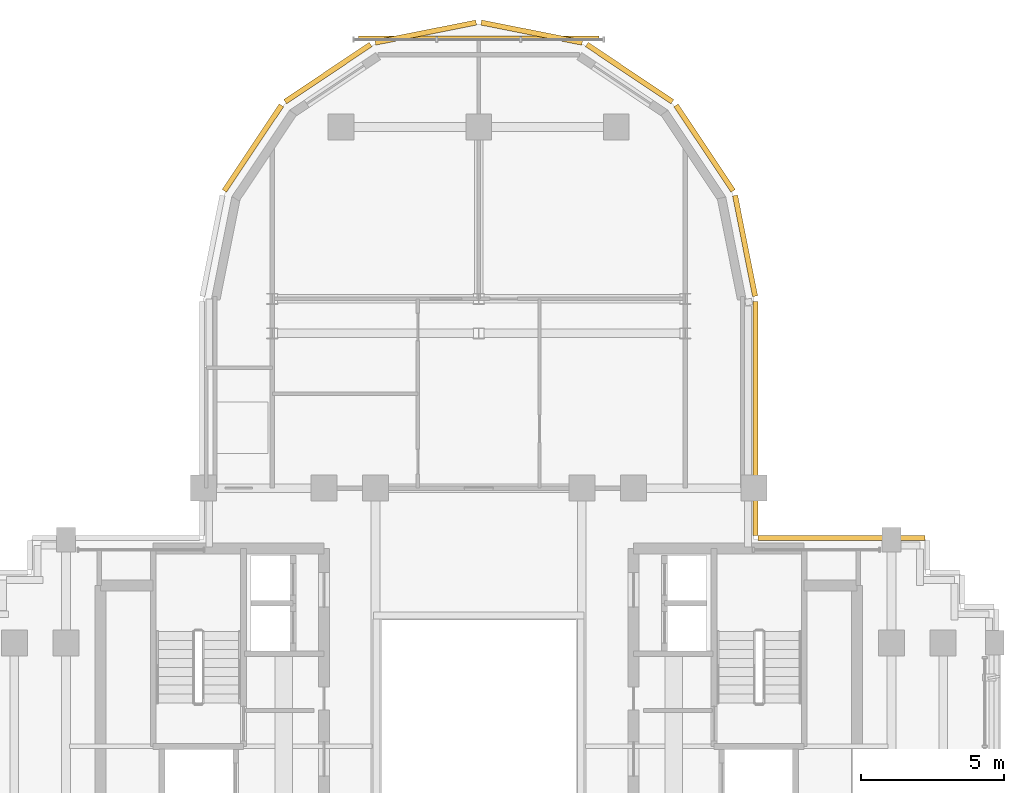
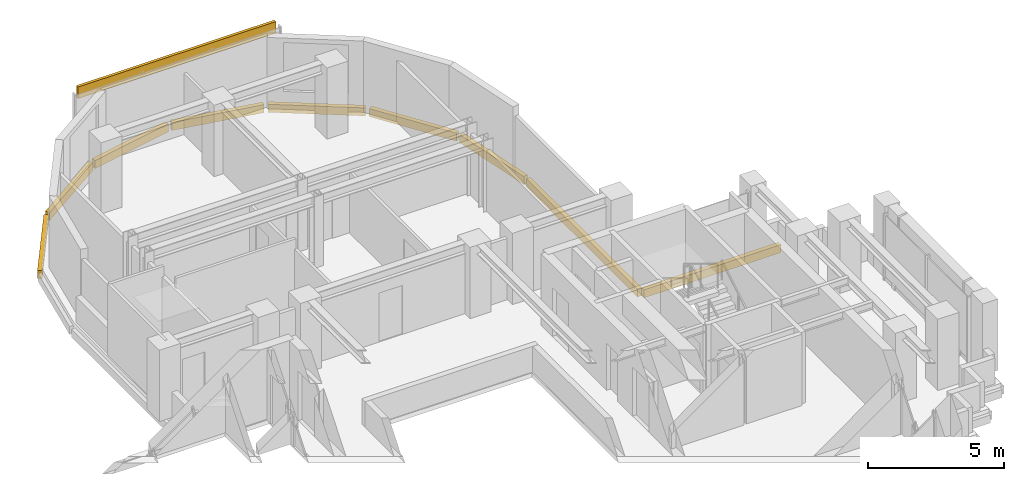
# One storey, part 11 of 11: 10 coverings.
"""IFC4 building model written with IfcOpenShell, lengths in metres."""

from ifc_helpers import new_model, si_unit, direction, frame, origin, origin_2d, place, context, subcontext, project, spatial, rectangle, extrude, source, transform, mapped, material, layer, layer_set, type_object, element, save


model = new_model("IFC4")

# Units and contexts
model_context = context("Model", 3, precision=1e-05, world=origin(), true_north=direction((0.0, 1.0)))
body_context = subcontext(model_context, "Body", "Model", "MODEL_VIEW")
ifc_project = project(units=[si_unit("LENGTHUNIT", "METRE"), si_unit("AREAUNIT", "SQUARE_METRE"), si_unit("VOLUMEUNIT", "CUBIC_METRE"), si_unit("PLANEANGLEUNIT", "RADIAN"), si_unit("MASSUNIT", "GRAM", prefix="KILO")], contexts=[model_context])

# Site, building, storey
site_placement = place(None, origin())
site = spatial("IfcSite", under=ifc_project, at=site_placement, CompositionType="ELEMENT")
building_placement = place(site_placement, origin())
building = spatial("IfcBuilding", under=site, at=building_placement, Name="Keilestroom Media Tower", CompositionType="ELEMENT")
storey_placement = place(building_placement, frame((0.0, 0.0, 204.60009765625)))
storey = spatial("IfcBuildingStorey", under=building, at=storey_placement, Name="L56", CompositionType="ELEMENT", Elevation=204.60009765625)

# Coverings
ifc_material = material(Name="Precast concrete C40/50", Category="concrete")
ifc_layer = layer(ifc_material, 0.1201171875)
ifc_layer_set = layer_set([ifc_layer], Name="Precast concrete C40/50")
covering_type = type_object("IfcCoveringType", Name="Exterior-Precast-Spandrel-Cladding-Panel-120", PredefinedType="CLADDING", material=ifc_layer_set)
shared_shape_1 = source(origin(), body_context, "Body", "SweptSolid", [
    extrude(rectangle(XDim=8.39990234375, YDim=0.1201171875, at=origin_2d()), origin(), (0.0, 0.0, 1.0), 0.52001953125),
])
covering_1_placement = place(storey_placement, frame((0.0, 24.719970703125, 2.68994140625), z_axis=(0.0, 0.0, 1.0), x_axis=(1.0, 0.0, 0.0)))
element("IfcCovering", 1, at=covering_1_placement, inside=storey, type_object=covering_type, Name="L56 Precast Spandrel Cladding N", PredefinedType="CLADDING", context=body_context, shape_type="MappedRepresentation", body=[
    mapped(shared_shape_1, transform((0.0, 0.0, 0.0), x_axis=(1.0, 0.0, 0.0), y_axis=(0.0, 1.0, 0.0), z_axis=(0.0, 0.0, 1.0), scale=1.0)),
])
shared_shape_2 = source(origin(), body_context, "Body", "SweptSolid", [
    extrude(rectangle(XDim=8.166015625, YDim=0.179931640625, at=origin_2d()), origin(), (0.0, 0.0, 1.0), 0.360107421875),
])
covering_2_placement = place(storey_placement, frame((9.659912109375, 11.43310546875, -0.5400390625), z_axis=(0.0, 0.0, 1.0), x_axis=(0.0, -1.0, 0.0)))
element("IfcCovering", 2, at=covering_2_placement, inside=storey, type_object=covering_type, Name="L56 Precast Slab-Edge Fascia Cornice 36", PredefinedType="CLADDING", context=body_context, shape_type="MappedRepresentation", body=[
    mapped(shared_shape_2, transform((0.0, 0.0, 0.0), x_axis=(1.0, 0.0, 0.0), y_axis=(0.0, 1.0, 0.0), z_axis=(0.0, 0.0, 1.0), scale=1.0)),
])
shared_shape_3 = source(origin(), body_context, "Body", "SweptSolid", [
    extrude(rectangle(XDim=3.58349609375, YDim=0.179931640625, at=origin_2d()), origin(), (0.0, 0.0, 1.0), 0.360107421875),
])
covering_3_placement = place(storey_placement, frame((9.29296875, 17.45166015625, -0.5400390625), z_axis=(0.0, 0.0, 1.0), x_axis=(0.195098880975, -0.980783577882, 0.0)))
element("IfcCovering", 3, at=covering_3_placement, inside=storey, type_object=covering_type, Name="L56 Precast Slab-Edge Fascia Cornice 35", PredefinedType="CLADDING", context=body_context, shape_type="MappedRepresentation", body=[
    mapped(shared_shape_3, transform((0.0, 0.0, 0.0), x_axis=(1.0, 0.0, 0.0), y_axis=(0.0, 1.0, 0.0), z_axis=(0.0, 0.0, 1.0), scale=1.0)),
])
shared_shape_4 = source(origin(), body_context, "Body", "SweptSolid", [
    extrude(rectangle(XDim=3.589599609375, YDim=0.179931640625, at=origin_2d()), origin(), (0.0, 0.0, 1.0), 0.360107421875),
])
for number, where, z_axis, x_axis, name in (
    (4, (-7.878662109375, 20.8642578125, -0.5400390625), (0.0, 0.0, 1.0), (0.555574586577, 0.831466703332, 0.0), "L56 Precast Slab-Edge Fascia Cornice 29"),
    (5, (-5.264404296875, 23.478515625, -0.5400390625), (0.0, 0.0, 1.0), (0.831466703332, 0.555574586577, 0.0), "L56 Precast Slab-Edge Fascia Cornice 30"),
    (6, (-1.8486328125, 24.893310546875, -0.5400390625), (0.0, 0.0, 1.0), (0.980783577882, 0.195098880975, 0.0), "L56 Precast Slab-Edge Fascia Cornice 31"),
    (7, (1.8486328125, 24.893310546875, -0.5400390625), (0.0, 0.0, 1.0), (0.980783577882, -0.195098880975, 0.0), "L56 Precast Slab-Edge Fascia Cornice 32"),
    (8, (5.264404296875, 23.478515625, -0.5400390625), (0.0, 0.0, 1.0), (0.831466703332, -0.555574586577, 0.0), "L56 Precast Slab-Edge Fascia Cornice 33"),
    (9, (7.878662109375, 20.8642578125, -0.5400390625), (0.0, 0.0, 1.0), (0.555574586577, -0.831466703332, 0.0), "L56 Precast Slab-Edge Fascia Cornice 34"),
):
    element("IfcCovering", number, at=place(storey_placement, frame(where, z_axis=z_axis, x_axis=x_axis)), inside=storey, type_object=covering_type, Name=name, PredefinedType="CLADDING", context=body_context, shape_type="MappedRepresentation", body=[
        mapped(shared_shape_4, transform((0.0, 0.0, 0.0), x_axis=(1.0, 0.0, 0.0), y_axis=(0.0, 1.0, 0.0), z_axis=(0.0, 0.0, 1.0), scale=1.0)),
    ])
shared_shape_5 = source(origin(), body_context, "Body", "SweptSolid", [
    extrude(rectangle(XDim=5.820068359375, YDim=0.179931640625, at=origin_2d()), origin(), (0.0, 0.0, 1.0), 0.360107421875),
])
covering_4_placement = place(storey_placement, frame((12.659912109375, 7.260009765625, -0.5400390625), z_axis=(0.0, 0.0, 1.0), x_axis=(1.0, 0.0, 0.0)))
element("IfcCovering", 10, at=covering_4_placement, inside=storey, type_object=covering_type, Name="L56 Precast Slab-Edge Fascia Cornice 37", PredefinedType="CLADDING", context=body_context, shape_type="MappedRepresentation", body=[
    mapped(shared_shape_5, transform((0.0, 0.0, 0.0), x_axis=(1.0, 0.0, 0.0), y_axis=(0.0, 1.0, 0.0), z_axis=(0.0, 0.0, 1.0), scale=1.0)),
])

save(model, "model.ifc")
